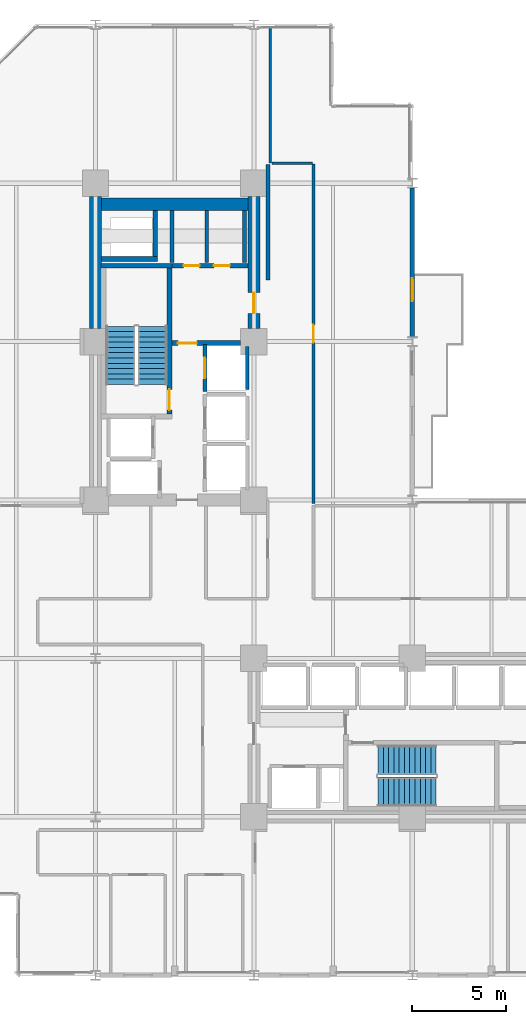
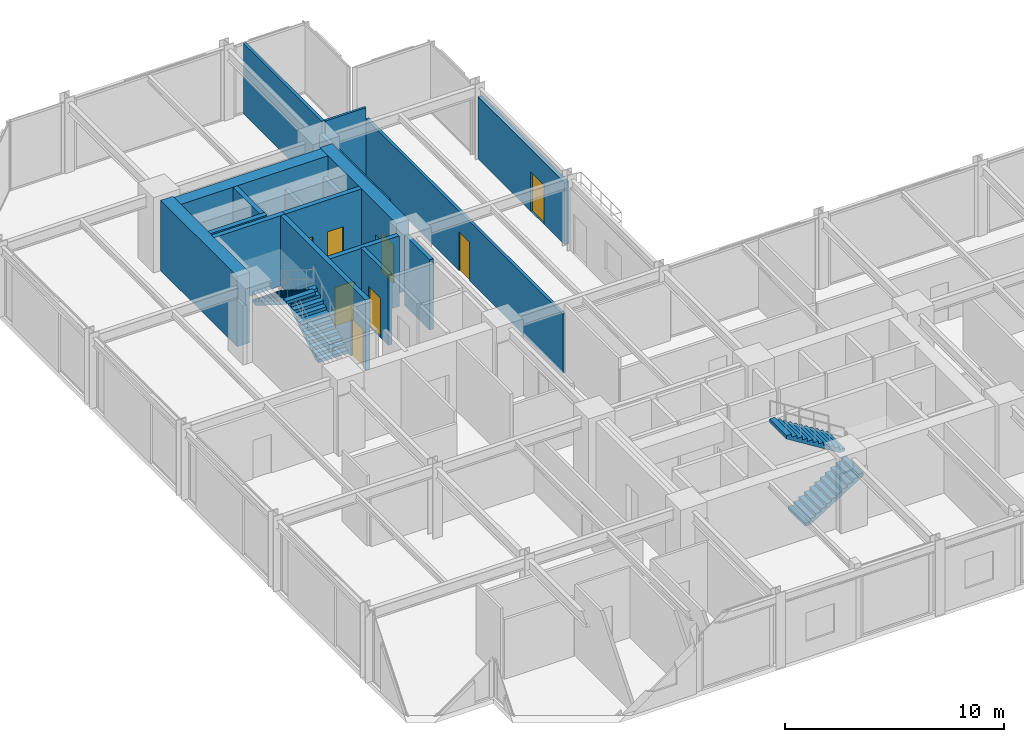
# One storey, part 21 of 24: 19 walls, 8 doors, 4 stair flights, 8 openings, 2 elements without a shape of their own.
"""IFC4 building model written with IfcOpenShell, lengths in metres."""

from ifc_helpers import new_model, si_unit, direction, frame, frame_2d, origin, place, context, subcontext, project, spatial, polyline, rectangle, outline, extrude, material, layer, layer_set, type_object, element, fill, aggregate, save


model = new_model("IFC4")

# Units and contexts
model_context = context("Model", 3, precision=1e-05, world=origin(), true_north=direction((0.0, 1.0)))
body_context = subcontext(model_context, "Body", "Model", "MODEL_VIEW")
ifc_project = project(units=[si_unit("LENGTHUNIT", "METRE"), si_unit("AREAUNIT", "SQUARE_METRE"), si_unit("VOLUMEUNIT", "CUBIC_METRE"), si_unit("PLANEANGLEUNIT", "RADIAN"), si_unit("MASSUNIT", "GRAM", prefix="KILO")], contexts=[model_context])

# Site, building, storey
site_placement = place(None, origin())
site = spatial("IfcSite", under=ifc_project, at=site_placement, CompositionType="ELEMENT")
building_placement = place(site_placement, origin())
building = spatial("IfcBuilding", under=site, at=building_placement, Name="Nerrivon Quay Data Exchange", CompositionType="ELEMENT")
storey_placement = place(building_placement, frame((0.0, 0.0, 45.800048828125)))
storey = spatial("IfcBuildingStorey", under=building, at=storey_placement, Name="L10", CompositionType="ELEMENT", Elevation=45.800048828125)

# Wall, opening, door
ifc_material_1 = material(Name="Architectural terracotta precast concrete N50 (50 MPa)", Category="masonry")
ifc_layer_1 = layer(ifc_material_1, 0.239990234375)
ifc_layer_set_1 = layer_set([ifc_layer_1], Name="Architectural terracotta precast concrete N50 (50 MPa)")
wall_type_1 = type_object("IfcWallType", Name="EW-PREC-240", PredefinedType="STANDARD", material=ifc_layer_set_1)
wall_1_placement = place(storey_placement, frame((25.199951171875, 41.75, 0.0), z_axis=(0.0, 0.0, 1.0), x_axis=(0.0, -1.0, 0.0)))
wall_1 = element("IfcWall", 1, at=wall_1_placement, inside=storey, type_object=wall_type_1, Name="L10 Terrace Host Wall 26", PredefinedType="STANDARD", context=body_context, shape_type="SweptSolid", body=[
    extrude(rectangle(XDim=7.89990234375, YDim=0.239990234375, at=frame_2d((3.949951171875, 0.0))), origin(), (0.0, 0.0, 1.0), 3.470947265625),
])
opening_1_placement = place(wall_1_placement, frame((4.800048828125, 0.0, 0.0)))
opening_1 = element("IfcOpeningElement", 2, at=opening_1_placement, cuts=wall_1, Name="Opening TD1", PredefinedType="OPENING", context=body_context, shape_type="SweptSolid", body=[
    extrude(rectangle(XDim=1.199951171875, YDim=2.199951171875, at=frame_2d((0.60009765625, 1.10009765625))), frame((0.0, 0.1298828125, 0.0), z_axis=(0.0, -1.0, 0.0), x_axis=(1.0, 0.0, 0.0)), (0.0, 0.0, 1.0), 0.260009765625),
])
ifc_material_2 = material(Name="Double-glazed low-E solar control glass", Category="glass")
door_type_1 = type_object("IfcDoorType", Name="DR-TERR-1200x2200", OperationType="NOTDEFINED", PredefinedType="DOOR", material=ifc_material_2)
door_1_placement = place(opening_1_placement, origin())
door_1 = element("IfcDoor", 3, at=door_1_placement, inside=storey, type_object=door_type_1, Name="L10 Outdoor Terrace Access Door 26", OperationType="SINGLE_SWING_LEFT", OverallHeight=2.199951171875, OverallWidth=1.199951171875, PredefinedType="DOOR", context=body_context, shape_type="SweptSolid", body=[
    extrude(rectangle(XDim=1.199951171875, YDim=2.199951171875, at=frame_2d((0.60009765625, 1.10009765625))), frame((0.0, 0.02490234375, 0.0), z_axis=(0.0, -1.0, 0.0), x_axis=(1.0, 0.0, 0.0)), (0.0, 0.0, 1.0), 0.050048828125),
])
fill(opening_1, door_1)

# Walls
ifc_material_3 = material(Name="Concrete N80 (80 MPa)", Category="concrete")
ifc_layer_2 = layer(ifc_material_3, 0.64990234375)
ifc_layer_set_2 = layer_set([ifc_layer_2], Name="Concrete N80 (80 MPa)")
wall_type_2 = type_object("IfcWallType", Name="WALL-CW-850", PredefinedType="SHEAR", material=ifc_layer_set_2)
wall_2_placement = place(storey_placement, frame((8.39990234375, 34.300048828125, 0.0), z_axis=(0.0, 0.0, 1.0), x_axis=(0.0, 1.0, 0.0)))
element("IfcWall", 4, at=wall_2_placement, inside=storey, type_object=wall_type_2, Name="L10 West Split-Core Shear Wall WCW-W2", PredefinedType="SHEAR", context=body_context, shape_type="SweptSolid", body=[
    extrude(rectangle(XDim=7.0, YDim=0.64990234375, at=frame_2d((3.5, 0.0))), origin(), (0.0, 0.0, 1.0), 3.925048828125),
])
wall_3_placement = place(storey_placement, frame((8.72509765625, 40.875, 0.0), z_axis=(0.0, 0.0, 1.0), x_axis=(1.0, 0.0, 0.0)))
element("IfcWall", 5, at=wall_3_placement, inside=storey, type_object=wall_type_2, Name="L10 West Split-Core Shear Wall WCW-N1", PredefinedType="SHEAR", context=body_context, shape_type="SweptSolid", body=[
    extrude(rectangle(XDim=7.75, YDim=0.64990234375, at=frame_2d((3.875, 0.0))), origin(), (0.0, 0.0, 1.0), 3.925048828125),
])

# Wall, opening, door
wall_4_placement = place(storey_placement, frame((16.800048828125, 34.300048828125, 0.0), z_axis=(0.0, 0.0, 1.0), x_axis=(0.0, 1.0, 0.0)))
wall_4 = element("IfcWall", 6, at=wall_4_placement, inside=storey, type_object=wall_type_2, Name="L10 West Split-Core Shear Wall WCW-E1", PredefinedType="SHEAR", context=body_context, shape_type="SweptSolid", body=[
    extrude(rectangle(XDim=7.0, YDim=0.64990234375, at=frame_2d((3.5, 0.0))), origin(), (0.0, 0.0, 1.0), 3.925048828125),
])
opening_2_placement = place(wall_4_placement, frame((0.800048828125, 0.0, 0.0)))
opening_2 = element("IfcOpeningElement", 7, at=opening_2_placement, cuts=wall_4, Name="Opening FD-120", PredefinedType="OPENING", context=body_context, shape_type="SweptSolid", body=[
    extrude(rectangle(XDim=1.10009765625, YDim=2.14990234375, at=frame_2d((0.550048828125, 1.074951171875))), frame((0.0, 0.3349609375, 0.0), z_axis=(0.0, -1.0, 0.0), x_axis=(1.0, 0.0, 0.0)), (0.0, 0.0, 1.0), 0.669921875),
])
ifc_material_4 = material(Name="Powder-coated galvanized steel sheet", Category="steel")
door_type_2 = type_object("IfcDoorType", Name="DR-FD120-1100", OperationType="NOTDEFINED", PredefinedType="DOOR", material=ifc_material_4)
door_2_placement = place(opening_2_placement, origin())
door_2 = element("IfcDoor", 8, at=door_2_placement, inside=storey, type_object=door_type_2, Name="L10 West Core Lobby Fire Door", OperationType="SINGLE_SWING_LEFT", OverallHeight=2.14990234375, OverallWidth=1.10009765625, PredefinedType="DOOR", context=body_context, shape_type="SweptSolid", body=[
    extrude(rectangle(XDim=1.10009765625, YDim=2.14990234375, at=frame_2d((0.550048828125, 1.074951171875))), frame((0.0, 0.02490234375, 0.0), z_axis=(0.0, -1.0, 0.0), x_axis=(1.0, 0.0, 0.0)), (0.0, 0.0, 1.0), 0.050048828125),
])
fill(opening_2, door_2)

ifc_material_5 = material(Name="Gypsum plasterboard on cold-formed framing", Category="gypsum")
ifc_layer_3 = layer(ifc_material_5, 0.199951171875)
ifc_layer_set_3 = layer_set([ifc_layer_3], Name="Gypsum plasterboard on cold-formed framing")
wall_type_3 = type_object("IfcWallType", Name="WALL-FW-200", PredefinedType="PARTITIONING", material=ifc_layer_set_3)
wall_5_placement = place(storey_placement, frame((14.199951171875, 30.949951171875, 0.0), z_axis=(0.0, 0.0, 1.0), x_axis=(0.0, 1.0, 0.0)))
wall_5 = element("IfcWall", 9, at=wall_5_placement, inside=storey, type_object=wall_type_3, Name="L10 Lift Front Wall PL3", PredefinedType="PARTITIONING", context=body_context, shape_type="SweptSolid", body=[
    extrude(rectangle(XDim=2.5, YDim=0.199951171875, at=frame_2d((1.25, 0.0))), origin(), (0.0, 0.0, 1.0), 3.925048828125),
])
opening_3_placement = place(wall_5_placement, frame((0.699951171875, 0.0, 0.0)))
opening_3 = element("IfcOpeningElement", 10, at=opening_3_placement, cuts=wall_5, Name="Opening LD-120", PredefinedType="OPENING", context=body_context, shape_type="SweptSolid", body=[
    extrude(rectangle(XDim=1.10009765625, YDim=2.199951171875, at=frame_2d((0.550048828125, 1.10009765625))), frame((0.0, 0.10986328125, 0.0), z_axis=(0.0, -1.0, 0.0), x_axis=(1.0, 0.0, 0.0)), (0.0, 0.0, 1.0), 0.219970703125),
])
door_type_3 = type_object("IfcDoorType", Name="DR-LIFT-LD120", OperationType="DOUBLE_DOOR_SLIDING", PredefinedType="DOOR", material=ifc_material_4)
door_3_placement = place(opening_3_placement, origin())
door_3 = element("IfcDoor", 11, at=door_3_placement, inside=storey, type_object=door_type_3, Name="L10 Lift Landing Sliding Door PL3", OperationType="DOUBLE_DOOR_SLIDING", OverallHeight=2.199951171875, OverallWidth=1.10009765625, PredefinedType="DOOR", context=body_context, shape_type="SweptSolid", body=[
    extrude(rectangle(XDim=1.10009765625, YDim=2.199951171875, at=frame_2d((0.550048828125, 1.10009765625))), frame((0.0, 0.02490234375, 0.0), z_axis=(0.0, -1.0, 0.0), x_axis=(1.0, 0.0, 0.0)), (0.0, 0.0, 1.0), 0.050048828125),
])
fill(opening_3, door_3)

# Walls
wall_6_placement = place(storey_placement, frame((16.449951171875, 31.050048828125, 0.0), z_axis=(0.0, 0.0, 1.0), x_axis=(0.0, 1.0, 0.0)))
element("IfcWall", 12, at=wall_6_placement, inside=storey, type_object=wall_type_3, Name="L10 Lift Shaft Wall PL3 EAST", PredefinedType="PARTITIONING", context=body_context, shape_type="SweptSolid", body=[
    extrude(rectangle(XDim=2.300048828125, YDim=0.199951171875, at=frame_2d((1.14990234375, 0.0))), origin(), (0.0, 0.0, 1.0), 3.925048828125),
])
for number, where, z_axis, x_axis, name in (
    (13, (14.300048828125, 37.780029296875, 0.0), (0.0, 0.0, 1.0), (0.0, 1.0, 0.0), "L10 Partition Cleaners Store"),
    (14, (12.449951171875, 40.5458984375, 0.0), (0.0, 0.0, 1.0), (0.0, -1.0, 0.0), "L10 Partition Cleaners Store"),
    (15, (16.300048828125, 37.780029296875, 0.0), (0.0, 0.0, 1.0), (0.0, 1.0, 0.0), "L10 Partition Janitor Closet"),
):
    element("IfcWall", number, at=place(storey_placement, frame(where, z_axis=z_axis, x_axis=x_axis)), inside=storey, type_object=wall_type_3, Name=name, PredefinedType="PARTITIONING", context=body_context, shape_type="SweptSolid", body=[
        extrude(rectangle(XDim=2.765869140625, YDim=0.199951171875, at=frame_2d((1.3828125, 0.0))), origin(), (0.0, 0.0, 1.0), 2.824951171875),
    ])
wall_7_placement = place(storey_placement, frame((17.5400390625, 36.860107421875, 0.0), z_axis=(0.0, 0.0, 1.0), x_axis=(0.0, 1.0, 0.0)))
element("IfcWall", 16, at=wall_7_placement, inside=storey, type_object=wall_type_3, Name="L10 Partition Colocation Data Workspace 1", PredefinedType="PARTITIONING", context=body_context, shape_type="SweptSolid", body=[
    extrude(rectangle(XDim=6.139892578125, YDim=0.199951171875, at=frame_2d((3.06982421875, 0.0))), origin(), (0.0, 0.0, 1.0), 3.31298828125),
])
ifc_layer_4 = layer(ifc_material_5, 0.1201171875)
ifc_layer_set_4 = layer_set([ifc_layer_4], Name="Gypsum plasterboard on cold-formed framing")
wall_type_4 = type_object("IfcWallType", Name="WALL-PT-120", PredefinedType="PARTITIONING", material=ifc_layer_set_4)
wall_8_placement = place(storey_placement, frame((17.7490234375, 43.06005859375, 0.0), z_axis=(0.0, 0.0, 1.0), x_axis=(1.0, 0.0, 0.0)))
element("IfcWall", 17, at=wall_8_placement, inside=storey, type_object=wall_type_4, Name="L10 Partition Technical Library", PredefinedType="PARTITIONING", context=body_context, shape_type="SweptSolid", body=[
    extrude(rectangle(XDim=2.15087890625, YDim=0.1201171875, at=frame_2d((1.075439453125, 0.0))), origin(), (0.0, 0.0, 1.0), 3.925048828125),
])

# Wall, opening, door
ifc_layer_5 = layer(ifc_material_5, 0.14990234375)
ifc_layer_set_5 = layer_set([ifc_layer_5], Name="Gypsum plasterboard on cold-formed framing")
wall_type_5 = type_object("IfcWallType", Name="WALL-PT-150", PredefinedType="PARTITIONING", material=ifc_layer_set_5)
wall_9_placement = place(storey_placement, frame((19.959716796875, 43.005859375, 0.0), z_axis=(0.0, 0.0, 1.0), x_axis=(1.3574599e-05, -0.999999999908, 0.0)))
wall_9 = element("IfcWall", 18, at=wall_9_placement, inside=storey, type_object=wall_type_5, Name="L10 Partition Technical Library", PredefinedType="PARTITIONING", context=body_context, shape_type="SweptSolid", body=[
    extrude(rectangle(XDim=17.985107421875, YDim=0.14990234375, at=frame_2d((8.99267578125, 0.0))), origin(), (0.0, 0.0, 1.0), 3.31298828125),
])
opening_4_placement = place(wall_9_placement, frame((8.517578125, 0.0, 0.0)))
opening_4 = element("IfcOpeningElement", 19, at=opening_4_placement, cuts=wall_9, Name="Opening D-01", PredefinedType="OPENING", context=body_context, shape_type="SweptSolid", body=[
    extrude(rectangle(XDim=0.949951171875, YDim=2.14990234375, at=frame_2d((0.47509765625, 1.074951171875))), frame((0.0, 0.0849609375, 0.0), z_axis=(0.0, -1.0, 0.0), x_axis=(1.0, 0.0, 0.0)), (0.0, 0.0, 1.0), 0.169921875),
])
ifc_material_6 = material(Name="Engineered hardwood timber", Category="wood")
door_type_4 = type_object("IfcDoorType", Name="DR-INT-950", OperationType="NOTDEFINED", PredefinedType="DOOR", material=ifc_material_6)
door_4_placement = place(opening_4_placement, origin())
door_4 = element("IfcDoor", 20, at=door_4_placement, inside=storey, type_object=door_type_4, Name="L10 Door Technical Library", OperationType="SINGLE_SWING_LEFT", OverallHeight=2.14990234375, OverallWidth=0.949951171875, PredefinedType="DOOR", context=body_context, shape_type="SweptSolid", body=[
    extrude(rectangle(XDim=0.949951171875, YDim=2.14990234375, at=frame_2d((0.47509765625, 1.074951171875))), frame((0.0, 0.02490234375, 0.0), z_axis=(0.0, -1.0, 0.0), x_axis=(1.0, 0.0, 0.0)), (0.0, 0.0, 1.0), 0.050048828125),
])
fill(opening_4, door_4)

# Walls
wall_10_placement = place(storey_placement, frame((17.669921875, 50.23095703125, 0.0), z_axis=(0.0, 0.0, 1.0), x_axis=(0.0, -1.0, 0.0)))
element("IfcWall", 21, at=wall_10_placement, inside=storey, type_object=wall_type_5, Name="L10 Partition Technical Library", PredefinedType="PARTITIONING", context=body_context, shape_type="SweptSolid", body=[
    extrude(rectangle(XDim=7.1708984375, YDim=0.14990234375, at=frame_2d((3.58544921875, 0.0))), origin(), (0.0, 0.0, 1.0), 3.925048828125),
])
ifc_material_7 = material(Name="Concrete N50 (50 MPa)", Category="concrete")
ifc_layer_6 = layer(ifc_material_7, 0.25)
ifc_layer_set_6 = layer_set([ifc_layer_6], Name="Concrete N50 (50 MPa)")
wall_type_6 = type_object("IfcWallType", Name="WALL-SW-250", PredefinedType="SHEAR", material=ifc_layer_set_6)
wall_11_placement = place(storey_placement, frame((12.449951171875, 37.625, 0.0), z_axis=(0.0, 0.0, 1.0), x_axis=(-1.0, 0.0, 0.0)))
element("IfcWall", 22, at=wall_11_placement, inside=storey, type_object=wall_type_6, Name="L10 ST01 Structural Stair Core Wall FAR", PredefinedType="SHEAR", context=body_context, shape_type="SweptSolid", body=[
    extrude(rectangle(XDim=3.75, YDim=0.25, at=frame_2d((1.875, 0.0))), origin(), (0.0, 0.0, 1.0), 3.925048828125),
])

# Wall, opening, door
wall_12_placement = place(storey_placement, frame((12.324951171875, 29.75, 0.0), z_axis=(0.0, 0.0, 1.0), x_axis=(0.0, 1.0, 0.0)))
wall_12 = element("IfcWall", 23, at=wall_12_placement, inside=storey, type_object=wall_type_6, Name="L10 ST01 Structural Stair Core Wall LEFT", PredefinedType="SHEAR", context=body_context, shape_type="SweptSolid", body=[
    extrude(rectangle(XDim=7.75, YDim=0.25, at=frame_2d((3.875, 0.0))), origin(), (0.0, 0.0, 1.0), 3.925048828125),
])
opening_5_placement = place(wall_12_placement, frame((0.219970703125, 0.0, 0.0)))
opening_5 = element("IfcOpeningElement", 24, at=opening_5_placement, cuts=wall_12, Name="Opening FD-120", PredefinedType="OPENING", context=body_context, shape_type="SweptSolid", body=[
    extrude(rectangle(XDim=1.10009765625, YDim=2.14990234375, at=frame_2d((0.550048828125, 1.074951171875))), frame((0.0, 0.135009765625, 0.0), z_axis=(0.0, -1.0, 0.0), x_axis=(1.0, 0.0, 0.0)), (0.0, 0.0, 1.0), 0.27001953125),
])
door_5_placement = place(opening_5_placement, origin())
door_5 = element("IfcDoor", 25, at=door_5_placement, inside=storey, type_object=door_type_2, Name="L10 Protected Stair Door ST01", OperationType="SINGLE_SWING_LEFT", OverallHeight=2.14990234375, OverallWidth=1.10009765625, PredefinedType="DOOR", context=body_context, shape_type="SweptSolid", body=[
    extrude(rectangle(XDim=1.10009765625, YDim=2.14990234375, at=frame_2d((0.550048828125, 1.074951171875))), frame((0.0, 0.02490234375, 0.0), z_axis=(0.0, -1.0, 0.0), x_axis=(1.0, 0.0, 0.0)), (0.0, 0.0, 1.0), 0.050048828125),
])
fill(opening_5, door_5)

# Walls
wall_13_placement = place(storey_placement, frame((8.72509765625, 37.97509765625, 0.0), z_axis=(0.0, 0.0, 1.0), x_axis=(1.0, 0.0, 0.0)))
element("IfcWall", 26, at=wall_13_placement, inside=storey, type_object=wall_type_6, Name="L10 West Core MEP Riser Shaft Wall S", PredefinedType="SHEAR", context=body_context, shape_type="SweptSolid", body=[
    extrude(rectangle(XDim=2.974853515625, YDim=0.25, at=frame_2d((1.4873046875, 0.0))), origin(), (0.0, 0.0, 1.0), 3.925048828125),
])
wall_14_placement = place(storey_placement, frame((11.574951171875, 38.10009765625, 0.0), z_axis=(0.0, 0.0, 1.0), x_axis=(0.0, 1.0, 0.0)))
element("IfcWall", 27, at=wall_14_placement, inside=storey, type_object=wall_type_6, Name="L10 West Core MEP Riser Shaft Wall E", PredefinedType="SHEAR", context=body_context, shape_type="SweptSolid", body=[
    extrude(rectangle(XDim=2.449951171875, YDim=0.25, at=frame_2d((1.22509765625, 0.0))), origin(), (0.0, 0.0, 1.0), 3.925048828125),
])

# Wall, opening, door
wall_15_placement = place(storey_placement, frame((12.449951171875, 33.52001953125, 0.0), z_axis=(0.0, 0.0, 1.0), x_axis=(1.0, 0.0, 0.0)))
wall_15 = element("IfcWall", 28, at=wall_15_placement, inside=storey, type_object=wall_type_6, Name="L10 West Lobby Smoke-Stop Wall", PredefinedType="SHEAR", context=body_context, shape_type="SweptSolid", body=[
    extrude(rectangle(XDim=3.650146484375, YDim=0.25, at=frame_2d((1.8251953125, 0.0))), origin(), (0.0, 0.0, 1.0), 3.925048828125),
])
opening_6_placement = place(wall_15_placement, frame((0.320068359375, 0.0, 0.0)))
opening_6 = element("IfcOpeningElement", 29, at=opening_6_placement, cuts=wall_15, Name="Opening FD-60", PredefinedType="OPENING", context=body_context, shape_type="SweptSolid", body=[
    extrude(rectangle(XDim=1.0, YDim=2.14990234375, at=frame_2d((0.5, 1.074951171875))), frame((0.0, 0.135009765625, 0.0), z_axis=(0.0, -1.0, 0.0), x_axis=(1.0, 0.0, 0.0)), (0.0, 0.0, 1.0), 0.27001953125),
])
door_type_5 = type_object("IfcDoorType", Name="DR-FD60-1000", OperationType="NOTDEFINED", PredefinedType="DOOR", material=ifc_material_6)
door_6_placement = place(opening_6_placement, origin())
door_6 = element("IfcDoor", 30, at=door_6_placement, inside=storey, type_object=door_type_5, Name="L10 West Firefighting Lobby Fire Door", OperationType="SINGLE_SWING_LEFT", OverallHeight=2.14990234375, OverallWidth=1.0, PredefinedType="DOOR", context=body_context, shape_type="SweptSolid", body=[
    extrude(rectangle(XDim=1.0, YDim=2.14990234375, at=frame_2d((0.5, 1.074951171875))), frame((0.0, 0.02490234375, 0.0), z_axis=(0.0, -1.0, 0.0), x_axis=(1.0, 0.0, 0.0)), (0.0, 0.0, 1.0), 0.050048828125),
])
fill(opening_6, door_6)

# Wall, openings, doors
wall_16_placement = place(storey_placement, frame((12.449951171875, 37.625, 0.0), z_axis=(0.0, 0.0, 1.0), x_axis=(1.0, 0.0, 0.0)))
wall_16 = element("IfcWall", 31, at=wall_16_placement, inside=storey, type_object=wall_type_6, Name="L10 West Firefighting Lobby Wall", PredefinedType="SHEAR", context=body_context, shape_type="SweptSolid", body=[
    extrude(rectangle(XDim=4.025146484375, YDim=0.25, at=frame_2d((2.0126953125, 0.0))), origin(), (0.0, 0.0, 1.0), 3.925048828125),
])
opening_7_placement = place(wall_16_placement, frame((0.62158203125, 0.0, 0.0)))
opening_7 = element("IfcOpeningElement", 32, at=opening_7_placement, cuts=wall_16, Name="Opening FD-60S", PredefinedType="OPENING", context=body_context, shape_type="SweptSolid", body=[
    extrude(rectangle(XDim=0.85009765625, YDim=2.14990234375, at=frame_2d((0.425048828125, 1.074951171875))), frame((0.0, 0.135009765625, 0.0), z_axis=(0.0, -1.0, 0.0), x_axis=(1.0, 0.0, 0.0)), (0.0, 0.0, 1.0), 0.27001953125),
])
opening_8_placement = place(wall_16_placement, frame((2.2314453125, 0.0, 0.0)))
opening_8 = element("IfcOpeningElement", 33, at=opening_8_placement, cuts=wall_16, Name="Opening FD-60S", PredefinedType="OPENING", context=body_context, shape_type="SweptSolid", body=[
    extrude(rectangle(XDim=0.85009765625, YDim=2.14990234375, at=frame_2d((0.425048828125, 1.074951171875))), frame((0.0, 0.135009765625, 0.0), z_axis=(0.0, -1.0, 0.0), x_axis=(1.0, 0.0, 0.0)), (0.0, 0.0, 1.0), 0.27001953125),
])
door_type_6 = type_object("IfcDoorType", Name="DR-FD60-850", OperationType="NOTDEFINED", PredefinedType="DOOR", material=ifc_material_6)
door_7_placement = place(opening_7_placement, origin())
door_7 = element("IfcDoor", 34, at=door_7_placement, inside=storey, type_object=door_type_6, Name="L10 Door Cleaners Store", OperationType="SINGLE_SWING_LEFT", OverallHeight=2.14990234375, OverallWidth=0.85009765625, PredefinedType="DOOR", context=body_context, shape_type="SweptSolid", body=[
    extrude(rectangle(XDim=0.85009765625, YDim=2.14990234375, at=frame_2d((0.425048828125, 1.074951171875))), frame((0.0, 0.02490234375, 0.0), z_axis=(0.0, -1.0, 0.0), x_axis=(1.0, 0.0, 0.0)), (0.0, 0.0, 1.0), 0.050048828125),
])
fill(opening_7, door_7)
door_8_placement = place(opening_8_placement, origin())
door_8 = element("IfcDoor", 35, at=door_8_placement, inside=storey, type_object=door_type_6, Name="L10 Door Janitor Closet", OperationType="SINGLE_SWING_RIGHT", OverallHeight=2.14990234375, OverallWidth=0.85009765625, PredefinedType="DOOR", context=body_context, shape_type="SweptSolid", body=[
    extrude(rectangle(XDim=0.85009765625, YDim=2.14990234375, at=frame_2d((0.425048828125, 1.074951171875))), frame((0.0, 0.02490234375, 0.0), z_axis=(0.0, -1.0, 0.0), x_axis=(1.0, 0.0, 0.0)), (0.0, 0.0, 1.0), 0.050048828125),
])
fill(opening_8, door_8)

# Stair, stair flights
stair_type = type_object("IfcStairType", Name="STAIR-DOG-42", PredefinedType="HALF_TURN_STAIR", material=ifc_material_7)
stair_1_placement = place(storey_placement, origin())
stair_1 = element("IfcStair", 36, at=stair_1_placement, inside=storey, type_object=stair_type, Name="L10 West Core Fire Stair ST01", PredefinedType="HALF_TURN_STAIR")
stair_flight_type = type_object("IfcStairFlightType", Name="FLIGHT-DOG-42", PredefinedType="STRAIGHT", material=ifc_material_7)
stair_flight_1_placement = place(storey_placement, frame((11.425048828125, 31.330078125, 0.0), z_axis=(0.0, 0.0, 1.0), x_axis=(0.0, 1.0, 0.0)))
stair_flight_1 = element("IfcStairFlight", 37, at=stair_flight_1_placement, type_object=stair_flight_type, Name="ST01 flight 1", NumberOfRisers=12, NumberOfTreads=11, PredefinedType="STRAIGHT", RiserHeight=0.175, TreadLength=0.28, context=body_context, shape_type="SweptSolid", body=[
    extrude(outline(polyline([(0.0, 0.0), (0.0, 0.175048828125), (0.280029296875, 0.175048828125), (0.280029296875, 0.35009765625), (0.56005859375, 0.35009765625), (0.56005859375, 0.52490234375), (0.840087890625, 0.52490234375), (0.840087890625, 0.699951171875), (1.1201171875, 0.699951171875), (1.1201171875, 0.875), (1.39990234375, 0.875), (1.39990234375, 1.050048828125), (1.679931640625, 1.050048828125), (1.679931640625, 1.22509765625), (1.9599609375, 1.22509765625), (1.9599609375, 1.39990234375), (2.239990234375, 1.39990234375), (2.239990234375, 1.574951171875), (2.52001953125, 1.574951171875), (2.52001953125, 1.75), (2.800048828125, 1.75), (2.800048828125, 1.925048828125), (3.080078125, 1.925048828125), (3.080078125, 2.10009765625), (3.080078125, 1.748291015625), (0.28271484375, 0.0), (0.0, 0.0)])), frame((0.0, 0.77490234375, 0.0), z_axis=(0.0, -1.0, 0.0), x_axis=(1.0, 0.0, 0.0)), (0.0, 0.0, 1.0), 1.550048828125),
])
stair_flight_2_placement = place(storey_placement, frame((9.72509765625, 34.409912109375, 2.099853515625), z_axis=(0.0, 0.0, 1.0), x_axis=(0.0, -1.0, 0.0)))
stair_flight_2 = element("IfcStairFlight", 38, at=stair_flight_2_placement, type_object=stair_flight_type, Name="ST01 flight 2", NumberOfRisers=12, NumberOfTreads=11, PredefinedType="STRAIGHT", RiserHeight=0.175, TreadLength=0.28, context=body_context, shape_type="SweptSolid", body=[
    extrude(outline(polyline([(0.0, 0.0), (0.0, 0.175048828125), (0.280029296875, 0.175048828125), (0.280029296875, 0.35009765625), (0.56005859375, 0.35009765625), (0.56005859375, 0.52490234375), (0.840087890625, 0.52490234375), (0.840087890625, 0.699951171875), (1.1201171875, 0.699951171875), (1.1201171875, 0.875), (1.39990234375, 0.875), (1.39990234375, 1.050048828125), (1.679931640625, 1.050048828125), (1.679931640625, 1.22509765625), (1.9599609375, 1.22509765625), (1.9599609375, 1.39990234375), (2.239990234375, 1.39990234375), (2.239990234375, 1.574951171875), (2.52001953125, 1.574951171875), (2.52001953125, 1.75), (2.800048828125, 1.75), (2.800048828125, 1.925048828125), (3.080078125, 1.925048828125), (3.080078125, 2.10009765625), (3.080078125, 1.748291015625), (0.28271484375, 0.0), (0.0, 0.0)])), frame((0.0, 0.77490234375, 0.0), z_axis=(0.0, -1.0, 0.0), x_axis=(1.0, 0.0, 0.0)), (0.0, 0.0, 1.0), 1.550048828125),
])
aggregate(stair_1, [stair_flight_1, stair_flight_2])

stair_2_placement = place(storey_placement, origin())
stair_2 = element("IfcStair", 39, at=stair_2_placement, inside=storey, type_object=stair_type, Name="L10 East Core Fire Stair ST02", PredefinedType="HALF_TURN_STAIR")
stair_flight_3_placement = place(storey_placement, frame((23.3798828125, 9.72509765625, 0.0), z_axis=(0.0, 0.0, 1.0), x_axis=(1.0, 0.0, 0.0)))
stair_flight_3 = element("IfcStairFlight", 40, at=stair_flight_3_placement, type_object=stair_flight_type, Name="ST02 flight 1", NumberOfRisers=12, NumberOfTreads=11, PredefinedType="STRAIGHT", RiserHeight=0.175, TreadLength=0.28, context=body_context, shape_type="SweptSolid", body=[
    extrude(outline(polyline([(0.0, 0.0), (0.0, 0.175048828125), (0.280029296875, 0.175048828125), (0.280029296875, 0.35009765625), (0.56005859375, 0.35009765625), (0.56005859375, 0.52490234375), (0.840087890625, 0.52490234375), (0.840087890625, 0.699951171875), (1.1201171875, 0.699951171875), (1.1201171875, 0.875), (1.39990234375, 0.875), (1.39990234375, 1.050048828125), (1.679931640625, 1.050048828125), (1.679931640625, 1.22509765625), (1.9599609375, 1.22509765625), (1.9599609375, 1.39990234375), (2.239990234375, 1.39990234375), (2.239990234375, 1.574951171875), (2.52001953125, 1.574951171875), (2.52001953125, 1.75), (2.800048828125, 1.75), (2.800048828125, 1.925048828125), (3.080078125, 1.925048828125), (3.080078125, 2.10009765625), (3.080078125, 1.748291015625), (0.28271484375, 0.0), (0.0, 0.0)])), frame((0.0, 0.77490234375, 0.0), z_axis=(0.0, -1.0, 0.0), x_axis=(1.0, 0.0, 0.0)), (0.0, 0.0, 1.0), 1.550048828125),
])
stair_flight_4_placement = place(storey_placement, frame((26.4599609375, 11.425048828125, 2.099853515625), z_axis=(0.0, 0.0, 1.0), x_axis=(-1.0, 0.0, 0.0)))
stair_flight_4 = element("IfcStairFlight", 41, at=stair_flight_4_placement, type_object=stair_flight_type, Name="ST02 flight 2", NumberOfRisers=12, NumberOfTreads=11, PredefinedType="STRAIGHT", RiserHeight=0.175, TreadLength=0.28, context=body_context, shape_type="SweptSolid", body=[
    extrude(outline(polyline([(0.0, 0.0), (0.0, 0.175048828125), (0.280029296875, 0.175048828125), (0.280029296875, 0.35009765625), (0.56005859375, 0.35009765625), (0.56005859375, 0.52490234375), (0.840087890625, 0.52490234375), (0.840087890625, 0.699951171875), (1.1201171875, 0.699951171875), (1.1201171875, 0.875), (1.39990234375, 0.875), (1.39990234375, 1.050048828125), (1.679931640625, 1.050048828125), (1.679931640625, 1.22509765625), (1.9599609375, 1.22509765625), (1.9599609375, 1.39990234375), (2.239990234375, 1.39990234375), (2.239990234375, 1.574951171875), (2.52001953125, 1.574951171875), (2.52001953125, 1.75), (2.800048828125, 1.75), (2.800048828125, 1.925048828125), (3.080078125, 1.925048828125), (3.080078125, 2.10009765625), (3.080078125, 1.748291015625), (0.28271484375, 0.0), (0.0, 0.0)])), frame((0.0, 0.77490234375, 0.0), z_axis=(0.0, -1.0, 0.0), x_axis=(1.0, 0.0, 0.0)), (0.0, 0.0, 1.0), 1.550048828125),
])
aggregate(stair_2, [stair_flight_3, stair_flight_4])

save(model, "model.ifc")
